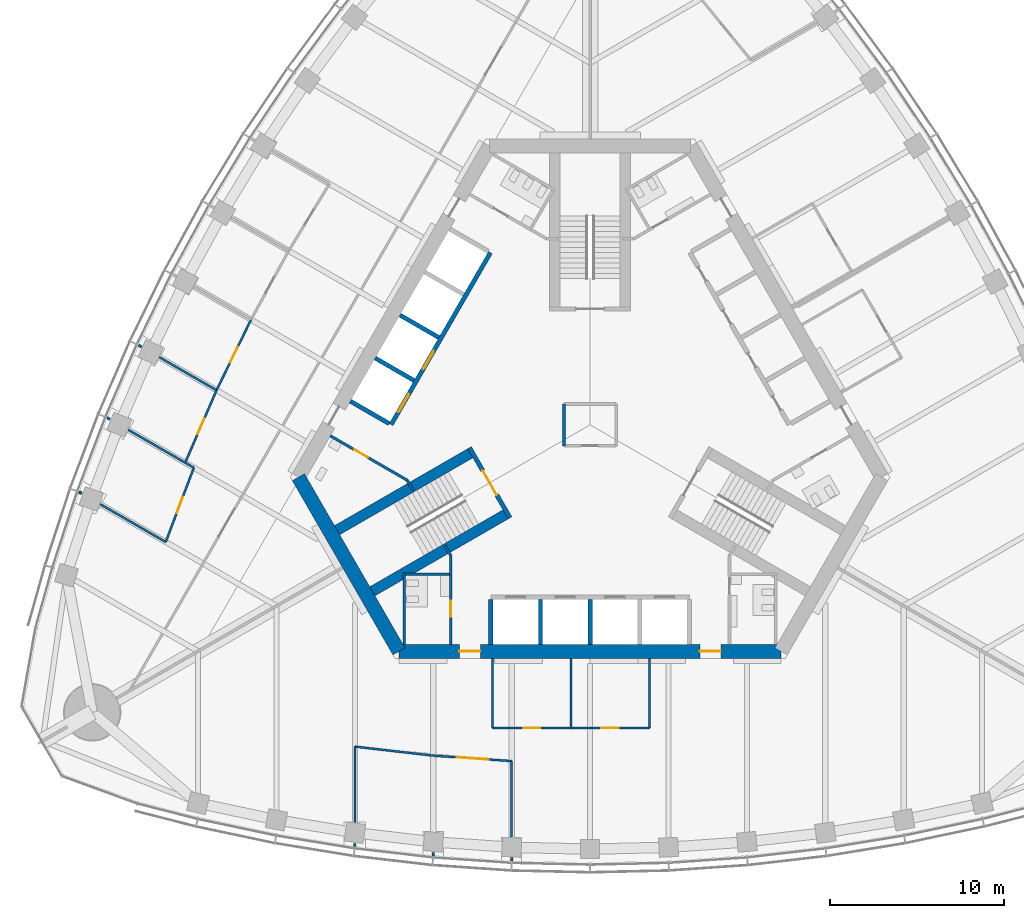
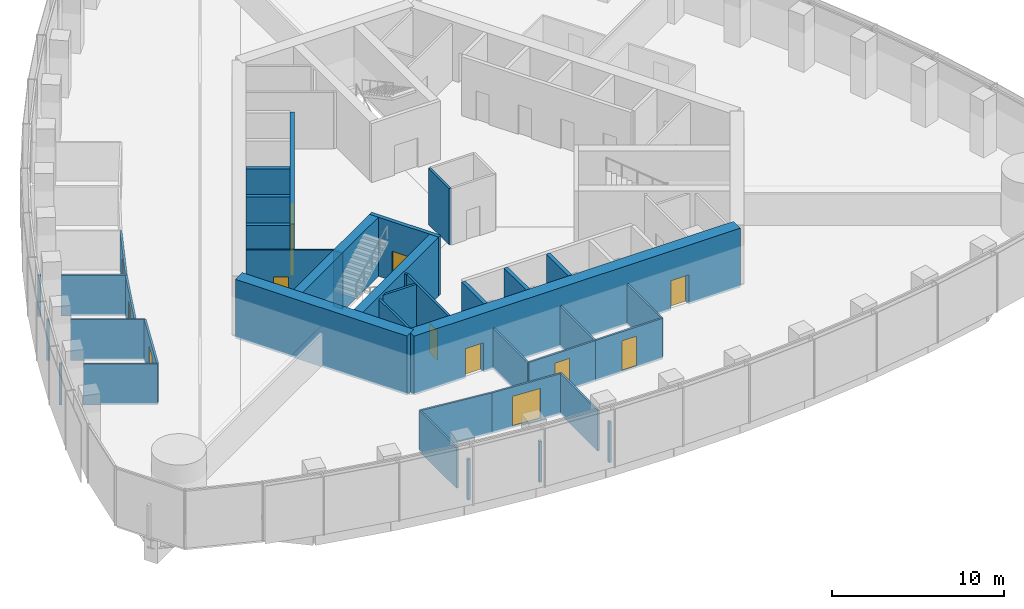
# One storey, part 11 of 19: 40 walls, 13 doors, 13 openings.
"""IFC4 building model written with IfcOpenShell, lengths in metres."""

from ifc_helpers import new_model, si_unit, direction, frame, frame_2d, origin, place, context, subcontext, project, spatial, rectangle, extrude, material, layer, layer_set, type_object, element, fill, save


model = new_model("IFC4")

# Units and contexts
model_context = context("Model", 3, precision=1e-05, world=origin(), true_north=direction((0.0, 1.0)))
body_context = subcontext(model_context, "Body", "Model", "MODEL_VIEW")
ifc_project = project(units=[si_unit("LENGTHUNIT", "METRE"), si_unit("AREAUNIT", "SQUARE_METRE"), si_unit("VOLUMEUNIT", "CUBIC_METRE"), si_unit("PLANEANGLEUNIT", "RADIAN"), si_unit("MASSUNIT", "GRAM", prefix="KILO")], contexts=[model_context])

# Site, building, storey
site_placement = place(None, origin())
site = spatial("IfcSite", under=ifc_project, at=site_placement, CompositionType="ELEMENT")
building_placement = place(site_placement, origin())
building = spatial("IfcBuilding", under=site, at=building_placement, Name="Trefoil Bronze Tower", CompositionType="ELEMENT")
storey_placement = place(building_placement, frame((0.0, 0.0, 206.5)))
storey = spatial("IfcBuildingStorey", under=building, at=storey_placement, Name="L47", CompositionType="ELEMENT", Elevation=206.5)

# Wall, openings, doors
ifc_material_1 = material(Name="Concrete B80", Category="concrete")
ifc_layer_1 = layer(ifc_material_1, 0.800048828125)
ifc_layer_set_1 = layer_set([ifc_layer_1], Name="Core wall 800")
wall_type_1 = type_object("IfcWallType", Name="Core wall 800", PredefinedType="SHEAR", material=ifc_layer_set_1)
wall_1_placement = place(storey_placement, frame((-10.9697265625, -13.0, 0.0), z_axis=(0.0, 0.0, 1.0), x_axis=(1.0, 0.0, 0.0)))
wall_1 = element("IfcWall", 1, at=wall_1_placement, inside=storey, type_object=wall_type_1, Name="Core long wall 1 L47", PredefinedType="SHEAR", context=body_context, shape_type="SweptSolid", body=[
    extrude(rectangle(XDim=21.939453125, YDim=0.800048828125, at=frame_2d((10.9697265625, 0.0))), origin(), (0.0, 0.0, 1.0), 4.199951171875),
])
opening_1_placement = place(wall_1_placement, frame((17.269775390625, 0.0, 0.0)))
opening_1 = element("IfcOpeningElement", 2, at=opening_1_placement, cuts=wall_1, Name="Opening D2", PredefinedType="OPENING", context=body_context, shape_type="SweptSolid", body=[
    extrude(rectangle(XDim=1.199951171875, YDim=2.10009765625, at=frame_2d((0.60009765625, 1.050048828125))), frame((0.0, 0.409912109375, 0.0), z_axis=(0.0, -1.0, 0.0), x_axis=(1.0, 0.0, 0.0)), (0.0, 0.0, 1.0), 0.820068359375),
])
opening_2_placement = place(wall_1_placement, frame((3.4697265625, 0.0, 0.0)))
opening_2 = element("IfcOpeningElement", 3, at=opening_2_placement, cuts=wall_1, Name="Opening D2", PredefinedType="OPENING", context=body_context, shape_type="SweptSolid", body=[
    extrude(rectangle(XDim=1.199951171875, YDim=2.10009765625, at=frame_2d((0.60009765625, 1.050048828125))), frame((0.0, 0.409912109375, 0.0), z_axis=(0.0, -1.0, 0.0), x_axis=(1.0, 0.0, 0.0)), (0.0, 0.0, 1.0), 0.820068359375),
])
ifc_material_2 = material(Name="Steel door", Category="steel")
door_type_1 = type_object("IfcDoorType", Name="Lobby door 1200", OperationType="SINGLE_SWING_RIGHT", PredefinedType="DOOR", material=ifc_material_2)
door_1_placement = place(opening_1_placement, origin())
door_1 = element("IfcDoor", 4, at=door_1_placement, inside=storey, type_object=door_type_1, Name="Lobby door F1+ L47", OperationType="SINGLE_SWING_RIGHT", OverallHeight=2.10009765625, OverallWidth=1.199951171875, PredefinedType="DOOR", context=body_context, shape_type="SweptSolid", body=[
    extrude(rectangle(XDim=1.199951171875, YDim=2.10009765625, at=frame_2d((0.60009765625, 1.050048828125))), frame((0.0, 0.02490234375, 0.0), z_axis=(0.0, -1.0, 0.0), x_axis=(1.0, 0.0, 0.0)), (0.0, 0.0, 1.0), 0.050048828125),
])
fill(opening_1, door_1)
door_2_placement = place(opening_2_placement, origin())
door_2 = element("IfcDoor", 5, at=door_2_placement, inside=storey, type_object=door_type_1, Name="Lobby door F1- L47", OperationType="SINGLE_SWING_LEFT", OverallHeight=2.10009765625, OverallWidth=1.199951171875, PredefinedType="DOOR", context=body_context, shape_type="SweptSolid", body=[
    extrude(rectangle(XDim=1.199951171875, YDim=2.10009765625, at=frame_2d((0.60009765625, 1.050048828125))), frame((0.0, 0.02490234375, 0.0), z_axis=(0.0, -1.0, 0.0), x_axis=(1.0, 0.0, 0.0)), (0.0, 0.0, 1.0), 0.050048828125),
])
fill(opening_2, door_2)

# Wall
wall_2_placement = place(storey_placement, frame((-16.7431640625, -3.0, 0.0), z_axis=(0.0, 0.0, 1.0), x_axis=(0.499995765644, -0.866027848477, 0.0)))
element("IfcWall", 6, at=wall_2_placement, inside=storey, type_object=wall_type_1, Name="Core short wall 3 L47", PredefinedType="SHEAR", context=body_context, shape_type="SweptSolid", body=[
    extrude(rectangle(XDim=11.546875, YDim=0.800048828125, at=frame_2d((5.7734375, 0.0))), origin(), (0.0, 0.0, 1.0), 4.199951171875),
])

# Wall, opening, door
ifc_material_3 = material(Name="Glazed partition", Category="glass")
ifc_layer_2 = layer(ifc_material_3, 0.1201171875)
ifc_layer_set_2 = layer_set([ifc_layer_2], Name="Glazed partition 120")
wall_type_2 = type_object("IfcWallType", Name="Glazed partition 120", PredefinedType="PARTITIONING", material=ifc_layer_set_2)
wall_3_placement = place(storey_placement, frame((-1.10009765625, -17.39990234375, 0.0), z_axis=(0.0, 0.0, 1.0), x_axis=(1.0, 0.0, 0.0)))
wall_3 = element("IfcWall", 7, at=wall_3_placement, inside=storey, type_object=wall_type_2, Name="Partition F1 L47", PredefinedType="PARTITIONING", context=body_context, shape_type="SweptSolid", body=[
    extrude(rectangle(XDim=4.5, YDim=0.1201171875, at=frame_2d((2.25, 0.0))), origin(), (0.0, 0.0, 1.0), 2.89990234375),
])
opening_3_placement = place(wall_3_placement, frame((1.75, 0.0, 0.14990234375)))
opening_3 = element("IfcOpeningElement", 8, at=opening_3_placement, cuts=wall_3, Name="Opening D9", PredefinedType="OPENING", context=body_context, shape_type="SweptSolid", body=[
    extrude(rectangle(XDim=1.0, YDim=2.10009765625, at=frame_2d((0.5, 1.050048828125))), frame((0.0, 0.070068359375, 0.0), z_axis=(0.0, -1.0, 0.0), x_axis=(1.0, 0.0, 0.0)), (0.0, 0.0, 1.0), 0.14013671875),
])
ifc_material_4 = material(Name="Glazed timber door", Category="wood")
door_type_2 = type_object("IfcDoorType", Name="Meeting room door 1000", OperationType="SINGLE_SWING_LEFT", PredefinedType="DOOR", material=ifc_material_4)
door_3_placement = place(opening_3_placement, origin())
door_3 = element("IfcDoor", 9, at=door_3_placement, inside=storey, type_object=door_type_2, Name="Project room door F1 L47", OperationType="SINGLE_SWING_LEFT", OverallHeight=2.10009765625, OverallWidth=1.0, PredefinedType="DOOR", context=body_context, shape_type="SweptSolid", body=[
    extrude(rectangle(XDim=1.0, YDim=2.10009765625, at=frame_2d((0.5, 1.050048828125))), frame((0.0, 0.02490234375, 0.0), z_axis=(0.0, -1.0, 0.0), x_axis=(1.0, 0.0, 0.0)), (0.0, 0.0, 1.0), 0.050048828125),
])
fill(opening_3, door_3)

wall_4_placement = place(storey_placement, frame((-5.60009765625, -17.39990234375, 0.0), z_axis=(0.0, 0.0, 1.0), x_axis=(1.0, 0.0, 0.0)))
wall_4 = element("IfcWall", 10, at=wall_4_placement, inside=storey, type_object=wall_type_2, Name="Partition F1 L47", PredefinedType="PARTITIONING", context=body_context, shape_type="SweptSolid", body=[
    extrude(rectangle(XDim=4.5, YDim=0.1201171875, at=frame_2d((2.25, 0.0))), origin(), (0.0, 0.0, 1.0), 2.89990234375),
])
opening_4_placement = place(wall_4_placement, frame((1.75, 0.0, 0.14990234375)))
opening_4 = element("IfcOpeningElement", 11, at=opening_4_placement, cuts=wall_4, Name="Opening D9", PredefinedType="OPENING", context=body_context, shape_type="SweptSolid", body=[
    extrude(rectangle(XDim=1.0, YDim=2.10009765625, at=frame_2d((0.5, 1.050048828125))), frame((0.0, 0.070068359375, 0.0), z_axis=(0.0, -1.0, 0.0), x_axis=(1.0, 0.0, 0.0)), (0.0, 0.0, 1.0), 0.14013671875),
])
door_4_placement = place(opening_4_placement, origin())
door_4 = element("IfcDoor", 12, at=door_4_placement, inside=storey, type_object=door_type_2, Name="Project room door F1 L47", OperationType="SINGLE_SWING_LEFT", OverallHeight=2.10009765625, OverallWidth=1.0, PredefinedType="DOOR", context=body_context, shape_type="SweptSolid", body=[
    extrude(rectangle(XDim=1.0, YDim=2.10009765625, at=frame_2d((0.5, 1.050048828125))), frame((0.0, 0.02490234375, 0.0), z_axis=(0.0, -1.0, 0.0), x_axis=(1.0, 0.0, 0.0)), (0.0, 0.0, 1.0), 0.050048828125),
])
fill(opening_4, door_4)

# Walls
for number, where, z_axis, x_axis, name in (
    (13, (3.39990234375, -13.39990234375, 0.0), (0.0, 0.0, 1.0), (0.0, -1.0, 0.0), "Partition F1 L47"),
    (14, (-1.10009765625, -13.39990234375, 0.0), (0.0, 0.0, 1.0), (0.0, -1.0, 0.0), "Partition F1 L47"),
    (15, (-5.60009765625, -13.39990234375, 0.0), (0.0, 0.0, 1.0), (0.0, -1.0, 0.0), "Partition F1 L47"),
):
    element("IfcWall", number, at=place(storey_placement, frame(where, z_axis=z_axis, x_axis=x_axis)), inside=storey, type_object=wall_type_2, Name=name, PredefinedType="PARTITIONING", context=body_context, shape_type="SweptSolid", body=[
        extrude(rectangle(XDim=4.0, YDim=0.1201171875, at=frame_2d((2.0, 0.0))), origin(), (0.0, 0.0, 1.0), 2.89990234375),
    ])
wall_5_placement = place(storey_placement, frame((-13.5, -18.466064453125, 0.0), z_axis=(0.0, 0.0, 1.0), x_axis=(0.993382946625, -0.114849124309, 0.0)))
element("IfcWall", 16, at=wall_5_placement, inside=storey, type_object=wall_type_2, Name="Partition F1 L47", PredefinedType="PARTITIONING", context=body_context, shape_type="SweptSolid", body=[
    extrude(rectangle(XDim=4.530029296875, YDim=0.1201171875, at=frame_2d((2.26513671875, 0.0))), origin(), (0.0, 0.0, 1.0), 2.89990234375),
])

# Wall, opening, door
wall_6_placement = place(storey_placement, frame((-9.0, -18.986328125, 0.0), z_axis=(0.0, 0.0, 1.0), x_axis=(0.997623533978, -0.068900540297, 0.0)))
wall_6 = element("IfcWall", 17, at=wall_6_placement, inside=storey, type_object=wall_type_2, Name="Partition F1 L47", PredefinedType="PARTITIONING", context=body_context, shape_type="SweptSolid", body=[
    extrude(rectangle(XDim=4.5107421875, YDim=0.1201171875, at=frame_2d((2.25537109375, 0.0))), origin(), (0.0, 0.0, 1.0), 2.89990234375),
])
opening_5_placement = place(wall_6_placement, frame((1.35009765625, 0.0, 0.14990234375)))
opening_5 = element("IfcOpeningElement", 18, at=opening_5_placement, cuts=wall_6, Name="Opening D10", PredefinedType="OPENING", context=body_context, shape_type="SweptSolid", body=[
    extrude(rectangle(XDim=1.800048828125, YDim=2.10009765625, at=frame_2d((0.89990234375, 1.050048828125))), frame((0.0, 0.070068359375, 0.0), z_axis=(0.0, -1.0, 0.0), x_axis=(1.0, 0.0, 0.0)), (0.0, 0.0, 1.0), 0.14013671875),
])
ifc_material_5 = material(Name="Timber door", Category="wood")
door_type_3 = type_object("IfcDoorType", Name="Double door 1800", OperationType="DOUBLE_DOOR_SINGLE_SWING", PredefinedType="DOOR", material=ifc_material_5)
door_5_placement = place(opening_5_placement, frame((1.800048828125, 0.0, 0.0), z_axis=(0.0, 0.0, 1.0), x_axis=(-1.0, 0.0, 0.0)))
door_5 = element("IfcDoor", 19, at=door_5_placement, inside=storey, type_object=door_type_3, Name="Kitchen and breakout door F1 L47", OperationType="DOUBLE_DOOR_SINGLE_SWING", OverallHeight=2.10009765625, OverallWidth=1.800048828125, PredefinedType="DOOR", context=body_context, shape_type="SweptSolid", body=[
    extrude(rectangle(XDim=1.800048828125, YDim=2.10009765625, at=frame_2d((0.89990234375, 1.050048828125))), frame((0.0, 0.02490234375, 0.0), z_axis=(0.0, -1.0, 0.0), x_axis=(1.0, 0.0, 0.0)), (0.0, 0.0, 1.0), 0.050048828125),
])
fill(opening_5, door_5)

# Walls
wall_7_placement = place(storey_placement, frame((-13.5, -18.466064453125, 0.0), z_axis=(0.0, 0.0, 1.0), x_axis=(0.0, -1.0, 0.0)))
element("IfcWall", 20, at=wall_7_placement, inside=storey, type_object=wall_type_2, Name="Partition F1 L47", PredefinedType="PARTITIONING", context=body_context, shape_type="SweptSolid", body=[
    extrude(rectangle(XDim=4.356689453125, YDim=0.1201171875, at=frame_2d((2.17822265625, 0.0))), origin(), (0.0, 0.0, 1.0), 2.89990234375),
])
wall_8_placement = place(storey_placement, frame((-4.5, -19.297119140625, 0.0), z_axis=(0.0, 0.0, 1.0), x_axis=(0.0, -1.0, 0.0)))
element("IfcWall", 21, at=wall_8_placement, inside=storey, type_object=wall_type_2, Name="Partition F1 L47", PredefinedType="PARTITIONING", context=body_context, shape_type="SweptSolid", body=[
    extrude(rectangle(XDim=4.36865234375, YDim=0.1201171875, at=frame_2d((2.184326171875, 0.0))), origin(), (0.0, 0.0, 1.0), 2.89990234375),
])

# Wall, opening, door
wall_9_placement = place(storey_placement, frame((-22.7421875, -2.458251953125, 0.0), z_axis=(0.0, 0.0, 1.0), x_axis=(-0.354219967303, -0.935162132875, 0.0)))
wall_9 = element("IfcWall", 22, at=wall_9_placement, inside=storey, type_object=wall_type_2, Name="Partition F3 L47", PredefinedType="PARTITIONING", context=body_context, shape_type="SweptSolid", body=[
    extrude(rectangle(XDim=4.559326171875, YDim=0.1201171875, at=frame_2d((2.27978515625, 0.0))), origin(), (0.0, 0.0, 1.0), 2.89990234375),
])
opening_6_placement = place(wall_9_placement, frame((1.800048828125, 0.0, 0.14990234375)))
opening_6 = element("IfcOpeningElement", 23, at=opening_6_placement, cuts=wall_9, Name="Opening D9", PredefinedType="OPENING", context=body_context, shape_type="SweptSolid", body=[
    extrude(rectangle(XDim=1.0, YDim=2.10009765625, at=frame_2d((0.5, 1.050048828125))), frame((0.0, 0.070068359375, 0.0), z_axis=(0.0, -1.0, 0.0), x_axis=(1.0, 0.0, 0.0)), (0.0, 0.0, 1.0), 0.14013671875),
])
door_6_placement = place(opening_6_placement, frame((1.0, 0.0, 0.0), z_axis=(0.0, 0.0, 1.0), x_axis=(-1.0, 0.0, 0.0)))
door_6 = element("IfcDoor", 24, at=door_6_placement, inside=storey, type_object=door_type_2, Name="Meeting room door F3 L47", OperationType="SINGLE_SWING_LEFT", OverallHeight=2.10009765625, OverallWidth=1.0, PredefinedType="DOOR", context=body_context, shape_type="SweptSolid", body=[
    extrude(rectangle(XDim=1.0, YDim=2.10009765625, at=frame_2d((0.5, 1.050048828125))), frame((0.0, 0.02490234375, 0.0), z_axis=(0.0, -1.0, 0.0), x_axis=(1.0, 0.0, 0.0)), (0.0, 0.0, 1.0), 0.050048828125),
])
fill(opening_6, door_6)

wall_10_placement = place(storey_placement, frame((-19.4599609375, 6.0390625, 0.0), z_axis=(0.0, 0.0, 1.0), x_axis=(-0.43911984878, -0.898428493764, 0.0)))
wall_10 = element("IfcWall", 25, at=wall_10_placement, inside=storey, type_object=wall_type_2, Name="Partition F3 L47", PredefinedType="PARTITIONING", context=body_context, shape_type="SweptSolid", body=[
    extrude(rectangle(XDim=4.5107421875, YDim=0.1201171875, at=frame_2d((2.25537109375, 0.0))), origin(), (0.0, 0.0, 1.0), 2.89990234375),
])
opening_7_placement = place(wall_10_placement, frame((1.75, 0.0, 0.14990234375)))
opening_7 = element("IfcOpeningElement", 26, at=opening_7_placement, cuts=wall_10, Name="Opening D9", PredefinedType="OPENING", context=body_context, shape_type="SweptSolid", body=[
    extrude(rectangle(XDim=1.0, YDim=2.10009765625, at=frame_2d((0.5, 1.050048828125))), frame((0.0, 0.070068359375, 0.0), z_axis=(0.0, -1.0, 0.0), x_axis=(1.0, 0.0, 0.0)), (0.0, 0.0, 1.0), 0.14013671875),
])
door_7_placement = place(opening_7_placement, frame((1.0, 0.0, 0.0), z_axis=(0.0, 0.0, 1.0), x_axis=(-1.0, 0.0, 0.0)))
door_7 = element("IfcDoor", 27, at=door_7_placement, inside=storey, type_object=door_type_2, Name="Project room door F3 L47", OperationType="SINGLE_SWING_RIGHT", OverallHeight=2.10009765625, OverallWidth=1.0, PredefinedType="DOOR", context=body_context, shape_type="SweptSolid", body=[
    extrude(rectangle(XDim=1.0, YDim=2.10009765625, at=frame_2d((0.5, 1.050048828125))), frame((0.0, 0.02490234375, 0.0), z_axis=(0.0, -1.0, 0.0), x_axis=(1.0, 0.0, 0.0)), (0.0, 0.0, 1.0), 0.050048828125),
])
fill(opening_7, door_7)

wall_11_placement = place(storey_placement, frame((-21.440673828125, 1.986572265625, 0.0), z_axis=(0.0, 0.0, 1.0), x_axis=(-0.397188455592, -0.917737070595, 0.0)))
wall_11 = element("IfcWall", 28, at=wall_11_placement, inside=storey, type_object=wall_type_2, Name="Partition F3 L47", PredefinedType="PARTITIONING", context=body_context, shape_type="SweptSolid", body=[
    extrude(rectangle(XDim=4.530029296875, YDim=0.1201171875, at=frame_2d((2.26513671875, 0.0))), origin(), (0.0, 0.0, 1.0), 2.89990234375),
])
opening_8_placement = place(wall_11_placement, frame((1.75, 0.0, 0.14990234375)))
opening_8 = element("IfcOpeningElement", 29, at=opening_8_placement, cuts=wall_11, Name="Opening D9", PredefinedType="OPENING", context=body_context, shape_type="SweptSolid", body=[
    extrude(rectangle(XDim=1.0, YDim=2.10009765625, at=frame_2d((0.5, 1.050048828125))), frame((0.0, 0.070068359375, 0.0), z_axis=(0.0, -1.0, 0.0), x_axis=(1.0, 0.0, 0.0)), (0.0, 0.0, 1.0), 0.14013671875),
])
door_8_placement = place(opening_8_placement, frame((1.0, 0.0, 0.0), z_axis=(0.0, 0.0, 1.0), x_axis=(-1.0, 0.0, 0.0)))
door_8 = element("IfcDoor", 30, at=door_8_placement, inside=storey, type_object=door_type_2, Name="Project room door F3 L47", OperationType="SINGLE_SWING_RIGHT", OverallHeight=2.10009765625, OverallWidth=1.0, PredefinedType="DOOR", context=body_context, shape_type="SweptSolid", body=[
    extrude(rectangle(XDim=1.0, YDim=2.10009765625, at=frame_2d((0.5, 1.050048828125))), frame((0.0, 0.02490234375, 0.0), z_axis=(0.0, -1.0, 0.0), x_axis=(1.0, 0.0, 0.0)), (0.0, 0.0, 1.0), 0.050048828125),
])
fill(opening_8, door_8)

# Walls
wall_12_placement = place(storey_placement, frame((-22.7421875, -2.458251953125, 0.0), z_axis=(0.0, 0.0, 1.0), x_axis=(-0.866034407719, 0.499984404404, 0.0)))
element("IfcWall", 31, at=wall_12_placement, inside=storey, type_object=wall_type_2, Name="Partition F3 L47", PredefinedType="PARTITIONING", context=body_context, shape_type="SweptSolid", body=[
    extrude(rectangle(XDim=4.356689453125, YDim=0.1201171875, at=frame_2d((2.17822265625, 0.0))), origin(), (0.0, 0.0, 1.0), 2.89990234375),
])
wall_13_placement = place(storey_placement, frame((-24.357177734375, -6.721923828125, 0.0), z_axis=(0.0, 0.0, 1.0), x_axis=(-0.866025625133, 0.499999616612, 0.0)))
element("IfcWall", 32, at=wall_13_placement, inside=storey, type_object=wall_type_2, Name="Partition F3 L47", PredefinedType="PARTITIONING", context=body_context, shape_type="SweptSolid", body=[
    extrude(rectangle(XDim=4.34619140625, YDim=0.1201171875, at=frame_2d((2.173095703125, 0.0))), origin(), (0.0, 0.0, 1.0), 2.89990234375),
])
wall_14_placement = place(storey_placement, frame((-21.440673828125, 1.986572265625, 0.0), z_axis=(0.0, 0.0, 1.0), x_axis=(-0.866030006337, 0.499992028061, 0.0)))
element("IfcWall", 33, at=wall_14_placement, inside=storey, type_object=wall_type_2, Name="Partition F3 L47", PredefinedType="PARTITIONING", context=body_context, shape_type="SweptSolid", body=[
    extrude(rectangle(XDim=3.7890625, YDim=0.1201171875, at=frame_2d((1.89453125, 0.0))), origin(), (0.0, 0.0, 1.0), 2.89990234375),
])

# Wall, opening, door
ifc_material_6 = material(Name="Gypsum board on steel studs", Category="steel")
ifc_layer_3 = layer(ifc_material_6, 0.14990234375)
ifc_layer_set_3 = layer_set([ifc_layer_3], Name="Partition 150")
wall_type_3 = type_object("IfcWallType", Name="Partition 150", PredefinedType="PARTITIONING", material=ifc_layer_set_3)
wall_15_placement = place(storey_placement, frame((-8.0, -7.5, 0.0), z_axis=(0.0, 0.0, 1.0), x_axis=(0.0, -1.0, 0.0)))
wall_15 = element("IfcWall", 34, at=wall_15_placement, inside=storey, type_object=wall_type_3, Name="Passage wall F1- L47", PredefinedType="PARTITIONING", context=body_context, shape_type="SweptSolid", body=[
    extrude(rectangle(XDim=5.10009765625, YDim=0.14990234375, at=frame_2d((2.550048828125, 0.0))), origin(), (0.0, 0.0, 1.0), 4.0),
])
opening_9_placement = place(wall_15_placement, frame((2.60009765625, 0.0, 0.0)))
opening_9 = element("IfcOpeningElement", 35, at=opening_9_placement, cuts=wall_15, Name="Opening D3", PredefinedType="OPENING", context=body_context, shape_type="SweptSolid", body=[
    extrude(rectangle(XDim=0.89990234375, YDim=2.10009765625, at=frame_2d((0.449951171875, 1.050048828125))), frame((0.0, 0.0849609375, 0.0), z_axis=(0.0, -1.0, 0.0), x_axis=(1.0, 0.0, 0.0)), (0.0, 0.0, 1.0), 0.169921875),
])
ifc_material_7 = material(Name="Timber door", Category="wood")
door_type_4 = type_object("IfcDoorType", Name="WC door 900", OperationType="SINGLE_SWING_LEFT", PredefinedType="DOOR", material=ifc_material_7)
door_9_placement = place(opening_9_placement, frame((0.89990234375, 0.0, 0.0), z_axis=(0.0, 0.0, 1.0), x_axis=(-1.0, 0.0, 0.0)))
door_9 = element("IfcDoor", 36, at=door_9_placement, inside=storey, type_object=door_type_4, Name="WC (women) door L47", OperationType="SINGLE_SWING_RIGHT", OverallHeight=2.10009765625, OverallWidth=0.89990234375, PredefinedType="DOOR", context=body_context, shape_type="SweptSolid", body=[
    extrude(rectangle(XDim=0.89990234375, YDim=2.10009765625, at=frame_2d((0.449951171875, 1.050048828125))), frame((0.0, 0.02490234375, 0.0), z_axis=(0.0, -1.0, 0.0), x_axis=(1.0, 0.0, 0.0)), (0.0, 0.0, 1.0), 0.050048828125),
])
fill(opening_9, door_9)

wall_16_placement = place(storey_placement, frame((-10.4951171875, -3.17822265625, 0.0), z_axis=(0.0, 0.0, 1.0), x_axis=(-0.86602216432, 0.500005610874, 0.0)))
wall_16 = element("IfcWall", 37, at=wall_16_placement, inside=storey, type_object=wall_type_3, Name="Passage wall F3+ L47", PredefinedType="PARTITIONING", context=body_context, shape_type="SweptSolid", body=[
    extrude(rectangle(XDim=5.10009765625, YDim=0.14990234375, at=frame_2d((2.550048828125, 0.0))), origin(), (0.0, 0.0, 1.0), 4.0),
])
opening_10_placement = place(wall_16_placement, frame((2.60009765625, 0.0, 0.0)))
opening_10 = element("IfcOpeningElement", 38, at=opening_10_placement, cuts=wall_16, Name="Opening D3", PredefinedType="OPENING", context=body_context, shape_type="SweptSolid", body=[
    extrude(rectangle(XDim=0.89990234375, YDim=2.10009765625, at=frame_2d((0.449951171875, 1.050048828125))), frame((0.0, 0.0849609375, 0.0), z_axis=(0.0, -1.0, 0.0), x_axis=(1.0, 0.0, 0.0)), (0.0, 0.0, 1.0), 0.169921875),
])
door_10_placement = place(opening_10_placement, origin())
door_10 = element("IfcDoor", 39, at=door_10_placement, inside=storey, type_object=door_type_4, Name="Accessible WC door L47", OperationType="SINGLE_SWING_RIGHT", OverallHeight=2.10009765625, OverallWidth=0.89990234375, PredefinedType="DOOR", context=body_context, shape_type="SweptSolid", body=[
    extrude(rectangle(XDim=0.89990234375, YDim=2.10009765625, at=frame_2d((0.449951171875, 1.050048828125))), frame((0.0, 0.02490234375, 0.0), z_axis=(0.0, -1.0, 0.0), x_axis=(1.0, 0.0, 0.0)), (0.0, 0.0, 1.0), 0.050048828125),
])
fill(opening_10, door_10)

# Walls
for number, where, z_axis, x_axis, name in (
    (40, (-10.4951171875, -3.17822265625, 0.0), (0.0, 0.0, 1.0), (0.499842556608, -0.866116284689, 0.0), "WC wall ST3-1 L47"),
    (41, (-8.0, -7.5, 0.0), (0.0, 0.0, 1.0), (-0.499842556608, 0.866116284689, 0.0), "WC wall ST3+1 L47"),
):
    element("IfcWall", number, at=place(storey_placement, frame(where, z_axis=z_axis, x_axis=x_axis)), inside=storey, type_object=wall_type_3, Name=name, PredefinedType="PARTITIONING", context=body_context, shape_type="SweptSolid", body=[
        extrude(rectangle(XDim=0.645263671875, YDim=0.14990234375, at=frame_2d((0.32275390625, 0.0))), origin(), (0.0, 0.0, 1.0), 4.0),
    ])
wall_17_placement = place(storey_placement, frame((-10.659912109375, -8.5, 0.0), z_axis=(0.0, 0.0, 1.0), x_axis=(0.0, -1.0, 0.0)))
element("IfcWall", 42, at=wall_17_placement, inside=storey, type_object=wall_type_3, Name="WC partition WC (women) L47", PredefinedType="PARTITIONING", context=body_context, shape_type="SweptSolid", body=[
    extrude(rectangle(XDim=4.10009765625, YDim=0.14990234375, at=frame_2d((2.050048828125, 0.0))), origin(), (0.0, 0.0, 1.0), 4.0),
])
wall_18_placement = place(storey_placement, frame((-8.074951171875, -8.574951171875, 0.0), z_axis=(0.0, 0.0, 1.0), x_axis=(-1.0, 0.0, 0.0)))
element("IfcWall", 43, at=wall_18_placement, inside=storey, type_object=wall_type_3, Name="WC partition WC (women) L47", PredefinedType="PARTITIONING", context=body_context, shape_type="SweptSolid", body=[
    extrude(rectangle(XDim=2.510009765625, YDim=0.14990234375, at=frame_2d((1.2548828125, 0.0))), origin(), (0.0, 0.0, 1.0), 4.0),
])
wall_19_placement = place(storey_placement, frame((-13.5, -24.032958984375, 0.0), z_axis=(0.0, 0.0, 1.0), x_axis=(0.0, -1.0, 0.0)))
element("IfcWall", 44, at=wall_19_placement, inside=storey, type_object=wall_type_3, Name="Partition F1 L47", PredefinedType="PARTITIONING", context=body_context, shape_type="SweptSolid", body=[
    extrude(rectangle(XDim=0.17822265625, YDim=0.14990234375, at=frame_2d((0.089111328125, 0.0))), origin(), (0.0, 0.0, 1.0), 2.89990234375),
])
wall_20_placement = place(storey_placement, frame((-4.5, -24.8251953125, 0.0), z_axis=(0.0, 0.0, 1.0), x_axis=(0.0, -1.0, 0.0)))
element("IfcWall", 45, at=wall_20_placement, inside=storey, type_object=wall_type_3, Name="Partition F1 L47", PredefinedType="PARTITIONING", context=body_context, shape_type="SweptSolid", body=[
    extrude(rectangle(XDim=0.217041015625, YDim=0.14990234375, at=frame_2d((0.1083984375, 0.0))), origin(), (0.0, 0.0, 1.0), 2.89990234375),
])
wall_21_placement = place(storey_placement, frame((-9.0, -24.535400390625, 0.0), z_axis=(0.0, 0.0, 1.0), x_axis=(0.0, -1.0, 0.0)))
element("IfcWall", 46, at=wall_21_placement, inside=storey, type_object=wall_type_3, Name="Partition F1 L47", PredefinedType="PARTITIONING", context=body_context, shape_type="SweptSolid", body=[
    extrude(rectangle(XDim=0.196044921875, YDim=0.14990234375, at=frame_2d((0.09814453125, 0.0))), origin(), (0.0, 0.0, 1.0), 2.89990234375),
])
wall_22_placement = place(storey_placement, frame((-27.563232421875, 0.3251953125, 0.0), z_axis=(0.0, 0.0, 1.0), x_axis=(-0.865614066289, 0.500711781609, 0.0)))
element("IfcWall", 47, at=wall_22_placement, inside=storey, type_object=wall_type_3, Name="Partition F3 L47", PredefinedType="PARTITIONING", context=body_context, shape_type="SweptSolid", body=[
    extrude(rectangle(XDim=0.177978515625, YDim=0.14990234375, at=frame_2d((0.0888671875, 0.0))), origin(), (0.0, 0.0, 1.0), 2.89990234375),
])
wall_23_placement = place(storey_placement, frame((-29.19140625, -3.930908203125, 0.0), z_axis=(0.0, 0.0, 1.0), x_axis=(-0.866484919499, 0.499203249469, 0.0)))
element("IfcWall", 48, at=wall_23_placement, inside=storey, type_object=wall_type_3, Name="Partition F3 L47", PredefinedType="PARTITIONING", context=body_context, shape_type="SweptSolid", body=[
    extrude(rectangle(XDim=0.162841796875, YDim=0.14990234375, at=frame_2d((0.08154296875, 0.0))), origin(), (0.0, 0.0, 1.0), 2.89990234375),
])
wall_24_placement = place(storey_placement, frame((-25.748291015625, 4.473388671875, 0.0), z_axis=(0.0, 0.0, 1.0), x_axis=(-0.865625187776, 0.500692554656, 0.0)))
element("IfcWall", 49, at=wall_24_placement, inside=storey, type_object=wall_type_3, Name="Partition F3 L47", PredefinedType="PARTITIONING", context=body_context, shape_type="SweptSolid", body=[
    extrude(rectangle(XDim=0.196044921875, YDim=0.14990234375, at=frame_2d((0.09814453125, 0.0))), origin(), (0.0, 0.0, 1.0), 2.89990234375),
])
ifc_material_8 = material(Name="Gypsum board on steel studs", Category="steel")
ifc_layer_4 = layer(ifc_material_8, 0.14990234375)
ifc_layer_set_4 = layer_set([ifc_layer_4], Name="Riser wall 150")
wall_type_4 = type_object("IfcWallType", Name="Riser wall 150", PredefinedType="PARTITIONING", material=ifc_layer_set_4)
wall_25_placement = place(storey_placement, frame((-1.5, 1.199951171875, 0.0), z_axis=(0.0, 0.0, 1.0), x_axis=(0.0, -1.0, 0.0)))
element("IfcWall", 50, at=wall_25_placement, inside=storey, type_object=wall_type_4, Name="Riser wall L47", PredefinedType="PARTITIONING", context=body_context, shape_type="SweptSolid", body=[
    extrude(rectangle(XDim=2.39990234375, YDim=0.14990234375, at=frame_2d((1.199951171875, 0.0))), origin(), (0.0, 0.0, 1.0), 4.0),
])
ifc_material_9 = material(Name="Concrete B80", Category="concrete")
ifc_layer_5 = layer(ifc_material_9, 0.25)
ifc_layer_set_5 = layer_set([ifc_layer_5], Name="Shaft wall 250")
wall_type_5 = type_object("IfcWallType", Name="Shaft wall 250", PredefinedType="SHEAR", material=ifc_layer_set_5)
for number, where, z_axis, x_axis, name in (
    (51, (-5.699951171875, -10.02490234375, 0.0), (0.0, 0.0, 1.0), (0.0, -1.0, 0.0), "Lift shaft side wall A0 L47"),
    (52, (-2.85009765625, -10.02490234375, 0.0), (0.0, 0.0, 1.0), (0.0, -1.0, 0.0), "Lift shaft side wall A1 L47"),
    (53, (0.0, -10.02490234375, 0.0), (0.0, 0.0, 1.0), (0.0, -1.0, 0.0), "Lift shaft side wall A2 L47"),
):
    element("IfcWall", number, at=place(storey_placement, frame(where, z_axis=z_axis, x_axis=x_axis)), inside=storey, type_object=wall_type_5, Name=name, PredefinedType="SHEAR", context=body_context, shape_type="SweptSolid", body=[
        extrude(rectangle(XDim=2.5751953125, YDim=0.25, at=frame_2d((1.28759765625, 0.0))), origin(), (0.0, 0.0, 1.0), 4.199951171875),
    ])

# Wall, openings, doors
wall_26_placement = place(storey_placement, frame((-5.7236328125, 9.88623046875, 0.0), z_axis=(0.0, 0.0, 1.0), x_axis=(-0.500001763848, -0.866024385424, 0.0)))
wall_26 = element("IfcWall", 54, at=wall_26_placement, inside=storey, type_object=wall_type_5, Name="Lift shaft front wall C L47", PredefinedType="SHEAR", context=body_context, shape_type="SweptSolid", body=[
    extrude(rectangle(XDim=11.39990234375, YDim=0.25, at=frame_2d((5.699951171875, 0.0))), origin(), (0.0, 0.0, 1.0), 4.199951171875),
])
opening_11_placement = place(wall_26_placement, frame((6.52490234375, 0.0, 0.0)))
opening_11 = element("IfcOpeningElement", 55, at=opening_11_placement, cuts=wall_26, Name="Opening LD-FL1", PredefinedType="OPENING", context=body_context, shape_type="SweptSolid", body=[
    extrude(rectangle(XDim=1.199951171875, YDim=2.199951171875, at=frame_2d((0.60009765625, 1.10009765625))), frame((0.0, 0.135009765625, 0.0), z_axis=(0.0, -1.0, 0.0), x_axis=(1.0, 0.0, 0.0)), (0.0, 0.0, 1.0), 0.27001953125),
])
opening_12_placement = place(wall_26_placement, frame((9.375, 0.0, 0.0)))
opening_12 = element("IfcOpeningElement", 56, at=opening_12_placement, cuts=wall_26, Name="Opening LD-FL2", PredefinedType="OPENING", context=body_context, shape_type="SweptSolid", body=[
    extrude(rectangle(XDim=1.199951171875, YDim=2.199951171875, at=frame_2d((0.60009765625, 1.10009765625))), frame((0.0, 0.135009765625, 0.0), z_axis=(0.0, -1.0, 0.0), x_axis=(1.0, 0.0, 0.0)), (0.0, 0.0, 1.0), 0.27001953125),
])
ifc_material_10 = material(Name="Steel door", Category="steel")
door_type_5 = type_object("IfcDoorType", Name="Lift landing door 1200", OperationType="DOUBLE_DOOR_SLIDING", PredefinedType="DOOR", material=ifc_material_10)
door_11_placement = place(opening_11_placement, origin())
door_11 = element("IfcDoor", 57, at=door_11_placement, inside=storey, type_object=door_type_5, Name="Lift FL1 landing door L47", OperationType="DOUBLE_DOOR_SLIDING", OverallHeight=2.199951171875, OverallWidth=1.199951171875, PredefinedType="DOOR", context=body_context, shape_type="SweptSolid", body=[
    extrude(rectangle(XDim=1.199951171875, YDim=2.199951171875, at=frame_2d((0.60009765625, 1.10009765625))), frame((0.0, 0.02490234375, 0.0), z_axis=(0.0, -1.0, 0.0), x_axis=(1.0, 0.0, 0.0)), (0.0, 0.0, 1.0), 0.050048828125),
])
fill(opening_11, door_11)
door_12_placement = place(opening_12_placement, origin())
door_12 = element("IfcDoor", 58, at=door_12_placement, inside=storey, type_object=door_type_5, Name="Lift FL2 landing door L47", OperationType="DOUBLE_DOOR_SLIDING", OverallHeight=2.199951171875, OverallWidth=1.199951171875, PredefinedType="DOOR", context=body_context, shape_type="SweptSolid", body=[
    extrude(rectangle(XDim=1.199951171875, YDim=2.199951171875, at=frame_2d((0.60009765625, 1.10009765625))), frame((0.0, 0.02490234375, 0.0), z_axis=(0.0, -1.0, 0.0), x_axis=(1.0, 0.0, 0.0)), (0.0, 0.0, 1.0), 0.050048828125),
])
fill(opening_12, door_12)

# Walls
for number, where, z_axis, x_axis, name in (
    (59, (-8.681884765625, 5.012451171875, 0.0), (0.0, 0.0, 1.0), (-0.866005588531, 0.500034319456, 0.0), "Lift shaft side wall C2 L47"),
    (60, (-10.10693359375, 2.54443359375, 0.0), (0.0, 0.0, 1.0), (-0.866046643894, 0.499963209246, 0.0), "Lift shaft side wall C3 L47"),
    (61, (-11.531982421875, 0.076171875, 0.0), (0.0, 0.0, 1.0), (-0.866005588531, 0.500034319456, 0.0), "Lift shaft side wall C4 L47"),
):
    element("IfcWall", number, at=place(storey_placement, frame(where, z_axis=z_axis, x_axis=x_axis)), inside=storey, type_object=wall_type_5, Name=name, PredefinedType="SHEAR", context=body_context, shape_type="SweptSolid", body=[
        extrude(rectangle(XDim=2.574951171875, YDim=0.25, at=frame_2d((1.28759765625, 0.0))), origin(), (0.0, 0.0, 1.0), 4.199951171875),
    ])

# Wall, opening, door
wall_27_placement = place(storey_placement, frame((-6.921630859375, -1.3115234375, 0.0), z_axis=(0.0, 0.0, 1.0), x_axis=(0.499984536904, -0.866034331223, 0.0)))
wall_27 = element("IfcWall", 62, at=wall_27_placement, inside=storey, type_object=wall_type_5, Name="Stair end wall ST3 L47", PredefinedType="SHEAR", context=body_context, shape_type="SweptSolid", body=[
    extrude(rectangle(XDim=4.650146484375, YDim=0.25, at=frame_2d((2.3251953125, 0.0))), origin(), (0.0, 0.0, 1.0), 4.199951171875),
])
opening_13_placement = place(wall_27_placement, frame((1.52490234375, 0.0, 0.0)))
opening_13 = element("IfcOpeningElement", 63, at=opening_13_placement, cuts=wall_27, Name="Opening D1", PredefinedType="OPENING", context=body_context, shape_type="SweptSolid", body=[
    extrude(rectangle(XDim=1.60009765625, YDim=2.10009765625, at=frame_2d((0.800048828125, 1.050048828125))), frame((0.0, 0.135009765625, 0.0), z_axis=(0.0, -1.0, 0.0), x_axis=(1.0, 0.0, 0.0)), (0.0, 0.0, 1.0), 0.27001953125),
])
ifc_material_11 = material(Name="Steel door", Category="steel")
door_type_6 = type_object("IfcDoorType", Name="Stair door 1600", OperationType="DOUBLE_DOOR_SINGLE_SWING", PredefinedType="DOOR", material=ifc_material_11)
door_13_placement = place(opening_13_placement, frame((1.60009765625, 0.0, 0.0), z_axis=(0.0, 0.0, 1.0), x_axis=(-1.0, 0.0, 0.0)))
door_13 = element("IfcDoor", 64, at=door_13_placement, inside=storey, type_object=door_type_6, Name="Stair door ST3 L47", OperationType="DOUBLE_DOOR_SINGLE_SWING", OverallHeight=2.10009765625, OverallWidth=1.60009765625, PredefinedType="DOOR", context=body_context, shape_type="SweptSolid", body=[
    extrude(rectangle(XDim=1.60009765625, YDim=2.10009765625, at=frame_2d((0.800048828125, 1.050048828125))), frame((0.0, 0.02490234375, 0.0), z_axis=(0.0, -1.0, 0.0), x_axis=(1.0, 0.0, 0.0)), (0.0, 0.0, 1.0), 0.050048828125),
])
fill(opening_13, door_13)

# Walls
ifc_material_12 = material(Name="Concrete B80", Category="concrete")
ifc_layer_6 = layer(ifc_material_12, 0.60009765625)
ifc_layer_set_6 = layer_set([ifc_layer_6], Name="Stair wall 600")
wall_type_6 = type_object("IfcWallType", Name="Stair wall 600", PredefinedType="SHEAR", material=ifc_layer_set_6)
for number, where, z_axis, x_axis, name in (
    (65, (-6.663330078125, -1.5087890625, 0.0), (0.0, 0.0, 1.0), (-0.866019375473, -0.500010441196, 0.0), "Stair wall ST3 L47"),
    (66, (-4.638427734375, -5.01611328125, 0.0), (0.0, 0.0, 1.0), (-0.866019375473, -0.500010441196, 0.0), "Stair wall ST3 L47"),
):
    element("IfcWall", number, at=place(storey_placement, frame(where, z_axis=z_axis, x_axis=x_axis)), inside=storey, type_object=wall_type_6, Name=name, PredefinedType="SHEAR", context=body_context, shape_type="SweptSolid", body=[
        extrude(rectangle(XDim=9.074951171875, YDim=0.60009765625, at=frame_2d((4.53759765625, 0.0))), origin(), (0.0, 0.0, 1.0), 4.199951171875),
    ])

save(model, "model.ifc")
